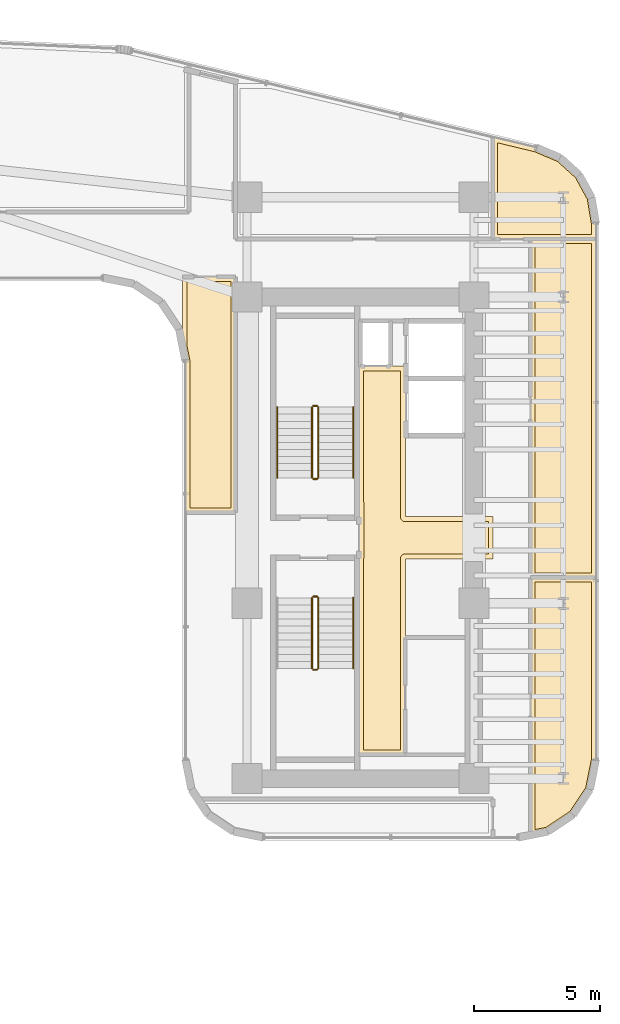
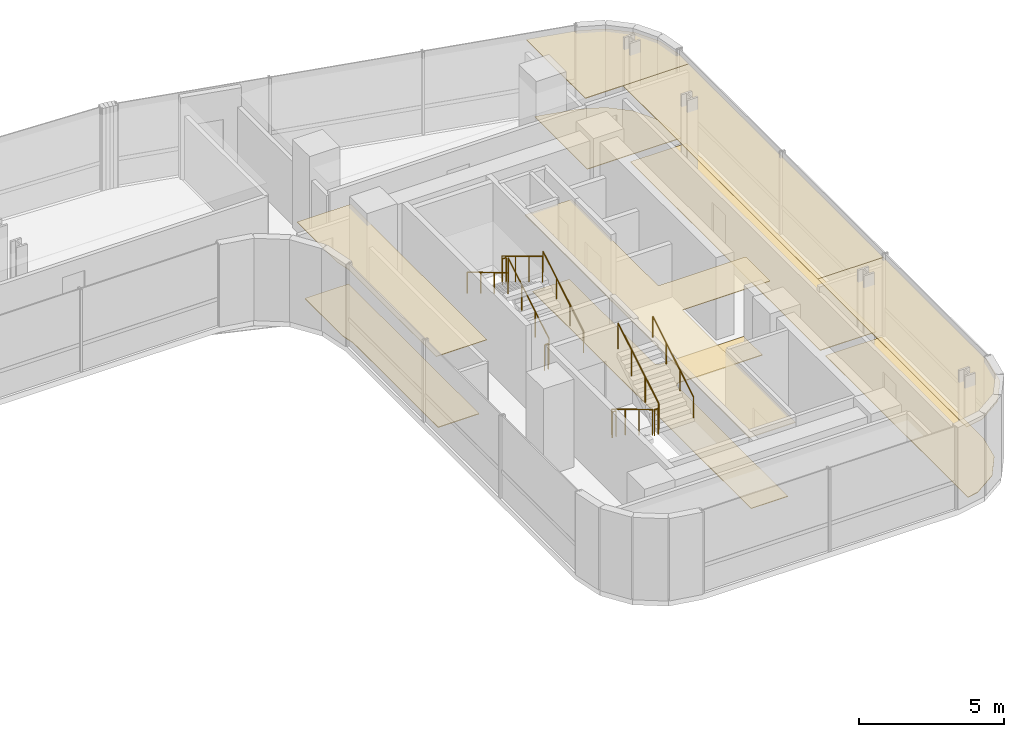
# One storey, part 33 of 34: 11 railings, 10 coverings.
"""IFC4 building model written with IfcOpenShell, lengths in metres."""

from ifc_helpers import new_model, si_unit, direction, frame, origin, origin_2d, place, context, subcontext, project, spatial, polyline, circle, outline, extrude, material, layer, layer_set, type_object, element, save


model = new_model("IFC4")

# Units and contexts
model_context = context("Model", 3, precision=1e-05, world=origin(), true_north=direction((0.0, 1.0)))
body_context = subcontext(model_context, "Body", "Model", "MODEL_VIEW")
ifc_project = project(units=[si_unit("LENGTHUNIT", "METRE"), si_unit("AREAUNIT", "SQUARE_METRE"), si_unit("VOLUMEUNIT", "CUBIC_METRE"), si_unit("PLANEANGLEUNIT", "RADIAN"), si_unit("MASSUNIT", "GRAM", prefix="KILO")], contexts=[model_context])

# Site, building, storey
site_placement = place(None, origin())
site = spatial("IfcSite", under=ifc_project, at=site_placement, CompositionType="ELEMENT")
building_placement = place(site_placement, origin())
building = spatial("IfcBuilding", under=site, at=building_placement, Name="Valdorenza Pilgrim Sanctuary Tower", CompositionType="ELEMENT")
storey_placement = place(building_placement, frame((0.0, 0.0, 142.699951171875)))
storey = spatial("IfcBuildingStorey", under=building, at=storey_placement, Name="L36", CompositionType="ELEMENT", Elevation=142.699951171875)

# Coverings
ifc_material_1 = material(Name="Micro-perforated acoustic mineral ceiling tile", Category="gypsum")
ifc_layer_1 = layer(ifc_material_1, 0.02490234375, Name="Micro-perforated acoustic mineral ceiling tile")
ifc_layer_set_1 = layer_set([ifc_layer_1], Name="Micro-perforated acoustic mineral ceiling tile")
covering_type_1 = type_object("IfcCoveringType", Name="COV-CLG-ACU", PredefinedType="CEILING", material=ifc_layer_set_1)
covering_1_placement = place(storey_placement, frame((0.0, 0.0, 3.16015625)))
element("IfcCovering", 1, at=covering_1_placement, inside=storey, type_object=covering_type_1, Name="L36 Core B Passenger Lift Lobby Acoustic Ceiling", PredefinedType="CEILING", context=body_context, shape_type="SweptSolid", body=[
    extrude(outline(polyline([(20.287109375, -0.814697265625), (20.287109375, 0.814697265625), (20.28662109375, 0.815185546875), (20.2861328125, 0.81640625), (20.28564453125, 0.81787109375), (20.285400390625, 0.819091796875), (20.28515625, 0.820556640625), (20.284912109375, 0.822021484375), (20.284912109375, 6.800048828125), (20.28515625, 6.801513671875), (20.285400390625, 6.802978515625), (20.28564453125, 6.804443359375), (20.2861328125, 6.8056640625), (20.286865234375, 6.80712890625), (20.28759765625, 6.808349609375), (20.288330078125, 6.8095703125), (20.289306640625, 6.810546875), (20.29052734375, 6.8115234375), (20.291748046875, 6.8125), (20.29296875, 6.813232421875), (20.294189453125, 6.81396484375), (20.295654296875, 6.814453125), (20.297119140625, 6.814697265625), (20.298583984375, 6.81494140625), (20.300048828125, 6.81494140625), (20.347900390625, 6.81494140625), (20.349365234375, 6.81494140625), (20.350830078125, 6.814697265625), (20.352294921875, 6.814453125), (20.353515625, 6.81396484375), (20.35498046875, 6.813232421875), (20.35546875, 6.81298828125), (21.544677734375, 6.81298828125), (21.545166015625, 6.813232421875), (21.54638671875, 6.81396484375), (21.5478515625, 6.814453125), (21.54931640625, 6.814697265625), (21.550537109375, 6.81494140625), (21.552001953125, 6.81494140625), (22.1201171875, 6.81494140625), (22.12158203125, 6.81494140625), (22.122802734375, 6.814697265625), (22.12451171875, 6.814453125), (22.125732421875, 6.81396484375), (22.127197265625, 6.813232421875), (22.12841796875, 6.8125), (22.12939453125, 6.8115234375), (22.130615234375, 6.810546875), (22.131591796875, 6.8095703125), (22.132568359375, 6.808349609375), (22.13330078125, 6.80712890625), (22.1337890625, 6.8056640625), (22.134521484375, 6.804443359375), (22.134765625, 6.802978515625), (22.135009765625, 6.801513671875), (22.135009765625, 6.800048828125), (22.135009765625, 0.8349609375), (25.60009765625, 0.8349609375), (25.6015625, 0.8349609375), (25.602783203125, 0.834716796875), (25.6044921875, 0.83447265625), (25.605712890625, 0.833984375), (25.607177734375, 0.833251953125), (25.6083984375, 0.83251953125), (25.609619140625, 0.83154296875), (25.610595703125, 0.83056640625), (25.611572265625, 0.82958984375), (25.612548828125, 0.828369140625), (25.61328125, 0.8271484375), (25.614013671875, 0.82568359375), (25.614501953125, 0.824462890625), (25.61474609375, 0.822998046875), (25.614990234375, 0.821533203125), (25.614990234375, 0.820068359375), (25.614990234375, -0.820068359375), (25.614990234375, -0.821533203125), (25.61474609375, -0.822998046875), (25.614501953125, -0.824462890625), (25.614013671875, -0.82568359375), (25.61328125, -0.8271484375), (25.612548828125, -0.828369140625), (25.611572265625, -0.82958984375), (25.610595703125, -0.83056640625), (25.609619140625, -0.83154296875), (25.6083984375, -0.83251953125), (25.607177734375, -0.833251953125), (25.605712890625, -0.833984375), (25.6044921875, -0.83447265625), (25.602783203125, -0.834716796875), (25.6015625, -0.8349609375), (25.60009765625, -0.8349609375), (22.135009765625, -0.8349609375), (22.135009765625, -8.60009765625), (22.135009765625, -8.6015625), (22.134765625, -8.602783203125), (22.134521484375, -8.6044921875), (22.1337890625, -8.605712890625), (22.13330078125, -8.607177734375), (22.132568359375, -8.6083984375), (22.131591796875, -8.609619140625), (22.130615234375, -8.610595703125), (22.12939453125, -8.611572265625), (22.12841796875, -8.612548828125), (22.127197265625, -8.61328125), (22.125732421875, -8.614013671875), (22.12451171875, -8.614501953125), (22.122802734375, -8.61474609375), (22.12158203125, -8.614990234375), (22.1201171875, -8.614990234375), (20.300048828125, -8.614990234375), (20.298583984375, -8.614990234375), (20.297119140625, -8.61474609375), (20.295654296875, -8.614501953125), (20.294189453125, -8.614013671875), (20.29296875, -8.61328125), (20.291748046875, -8.612548828125), (20.29052734375, -8.611572265625), (20.289306640625, -8.610595703125), (20.288330078125, -8.609619140625), (20.28759765625, -8.6083984375), (20.286865234375, -8.607177734375), (20.2861328125, -8.605712890625), (20.28564453125, -8.6044921875), (20.285400390625, -8.602783203125), (20.28515625, -8.6015625), (20.284912109375, -8.60009765625), (20.284912109375, -0.822021484375), (20.28515625, -0.820556640625), (20.285400390625, -0.819091796875), (20.28564453125, -0.81787109375), (20.2861328125, -0.81640625), (20.28662109375, -0.815185546875), (20.287109375, -0.814697265625)])), origin(), (0.0, 0.0, 1.0), 0.02490234375),
])
covering_2_placement = place(storey_placement, frame((0.0, 0.0, 3.16015625)))
element("IfcCovering", 2, at=covering_2_placement, inside=storey, type_object=covering_type_1, Name="L36 East Wing Reference Library L36-BNE Acoustic Ceiling", PredefinedType="CEILING", context=body_context, shape_type="SweptSolid", body=[
    extrude(outline(polyline([(27.313720703125, 15.49755859375), (27.31494140625, 15.4970703125), (27.316162109375, 15.49658203125), (28.269775390625, 15.09130859375), (28.271240234375, 15.090576171875), (28.272705078125, 15.089599609375), (28.27392578125, 15.088623046875), (29.034912109375, 14.3994140625), (29.035888671875, 14.398193359375), (29.037109375, 14.39697265625), (29.037841796875, 14.3955078125), (29.531005859375, 13.4951171875), (29.53173828125, 13.49365234375), (29.5322265625, 13.4921875), (29.53271484375, 13.490478515625), (29.704833984375, 12.468994140625), (29.704833984375, 12.467529296875), (29.705078125, 12.46630859375), (29.705078125, 11.85009765625), (29.704833984375, 11.848388671875), (29.70458984375, 11.84716796875), (29.704345703125, 11.845703125), (29.703857421875, 11.84423828125), (29.703125, 11.843017578125), (29.702392578125, 11.841796875), (29.70166015625, 11.840576171875), (29.70068359375, 11.83935546875), (29.699462890625, 11.83837890625), (29.6982421875, 11.83740234375), (29.697021484375, 11.8369140625), (29.69580078125, 11.836181640625), (29.6943359375, 11.835693359375), (29.69287109375, 11.835205078125), (29.69140625, 11.835205078125), (29.68994140625, 11.8349609375), (25.60205078125, 11.8349609375), (25.6005859375, 11.835205078125), (25.59912109375, 11.835205078125), (25.59765625, 11.835693359375), (25.59619140625, 11.836181640625), (25.594970703125, 11.8369140625), (25.59375, 11.83740234375), (25.592529296875, 11.83837890625), (25.59130859375, 11.83935546875), (25.59033203125, 11.840576171875), (25.589599609375, 11.841796875), (25.5888671875, 11.843017578125), (25.588134765625, 11.84423828125), (25.587646484375, 11.845703125), (25.58740234375, 11.84716796875), (25.587158203125, 11.848388671875), (25.5869140625, 11.85009765625), (25.5869140625, 15.891845703125), (25.587158203125, 15.893310546875), (25.58740234375, 15.894775390625), (25.587646484375, 15.896240234375), (25.588134765625, 15.897705078125), (25.5888671875, 15.89892578125), (25.589599609375, 15.900390625), (25.590576171875, 15.901611328125), (25.591552734375, 15.902587890625), (25.5927734375, 15.903564453125), (25.593994140625, 15.904296875), (25.59521484375, 15.9052734375), (25.5966796875, 15.90576171875), (25.597900390625, 15.90625), (25.599609375, 15.906494140625), (25.60107421875, 15.90673828125), (25.6025390625, 15.90673828125), (25.60400390625, 15.906494140625), (25.60546875, 15.906494140625), (27.313720703125, 15.49755859375)])), origin(), (0.0, 0.0, 1.0), 0.02490234375),
])
covering_3_placement = place(storey_placement, frame((0.0, 0.0, 3.16015625)))
element("IfcCovering", 3, at=covering_3_placement, inside=storey, type_object=covering_type_1, Name="L36 Private Banquet Dining Room L36-EB1 Acoustic Ceiling", PredefinedType="CEILING", context=body_context, shape_type="SweptSolid", body=[
    extrude(outline(polyline([(29.68994140625, -1.56005859375), (29.69140625, -1.56005859375), (29.69287109375, -1.560302734375), (29.6943359375, -1.560546875), (29.69580078125, -1.56103515625), (29.697021484375, -1.561767578125), (29.6982421875, -1.5625), (29.699462890625, -1.5634765625), (29.70068359375, -1.564453125), (29.70166015625, -1.5654296875), (29.702392578125, -1.566650390625), (29.703125, -1.56787109375), (29.703857421875, -1.5693359375), (29.704345703125, -1.570556640625), (29.70458984375, -1.572021484375), (29.704833984375, -1.573486328125), (29.705078125, -1.574951171875), (29.705078125, -8.789306640625), (29.704833984375, -8.79052734375), (29.70458984375, -8.7919921875), (29.467529296875, -9.984619140625), (29.467041015625, -9.986083984375), (29.466552734375, -9.9873046875), (29.466064453125, -9.98876953125), (29.46533203125, -9.989990234375), (28.7958984375, -10.99169921875), (28.794921875, -10.992919921875), (28.7939453125, -10.993896484375), (28.79296875, -10.9951171875), (28.791748046875, -10.995849609375), (27.7900390625, -11.665283203125), (27.788818359375, -11.666015625), (27.787353515625, -11.66650390625), (27.785888671875, -11.6669921875), (27.78466796875, -11.66748046875), (27.102783203125, -11.802978515625), (27.1015625, -11.80322265625), (27.10009765625, -11.803466796875), (27.098388671875, -11.80322265625), (27.09716796875, -11.802978515625), (27.095703125, -11.802734375), (27.09423828125, -11.80224609375), (27.093017578125, -11.801513671875), (27.091796875, -11.80078125), (27.090576171875, -11.800048828125), (27.08935546875, -11.799072265625), (27.08837890625, -11.7978515625), (27.08740234375, -11.796630859375), (27.0869140625, -11.79541015625), (27.086181640625, -11.794189453125), (27.085693359375, -11.792724609375), (27.085205078125, -11.791259765625), (27.085205078125, -11.789794921875), (27.0849609375, -11.788330078125), (27.0849609375, -1.574951171875), (27.085205078125, -1.573486328125), (27.085205078125, -1.572021484375), (27.085693359375, -1.570556640625), (27.086181640625, -1.5693359375), (27.0869140625, -1.56787109375), (27.08740234375, -1.566650390625), (27.08837890625, -1.5654296875), (27.08935546875, -1.564453125), (27.090576171875, -1.5634765625), (27.091796875, -1.5625), (27.093017578125, -1.561767578125), (27.09423828125, -1.56103515625), (27.095703125, -1.560546875), (27.09716796875, -1.560302734375), (27.098388671875, -1.56005859375), (27.10009765625, -1.56005859375), (29.68994140625, -1.56005859375)])), origin(), (0.0, 0.0, 1.0), 0.02490234375),
])
covering_4_placement = place(storey_placement, frame((0.0, 0.0, 3.16015625)))
element("IfcCovering", 4, at=covering_4_placement, inside=storey, type_object=covering_type_1, Name="L36 Private Banquet Dining Room L36-EB2 Acoustic Ceiling", PredefinedType="CEILING", context=body_context, shape_type="SweptSolid", body=[
    extrude(outline(polyline([(27.0849609375, 11.847900390625), (27.085205078125, 11.849609375), (27.085205078125, 11.850830078125), (27.085693359375, 11.852294921875), (27.086181640625, 11.853759765625), (27.0869140625, 11.85498046875), (27.08740234375, 11.856201171875), (27.08837890625, 11.857421875), (27.08935546875, 11.858642578125), (27.090576171875, 11.859619140625), (27.091796875, 11.860595703125), (27.093017578125, 11.861083984375), (27.09423828125, 11.86181640625), (27.095703125, 11.8623046875), (27.09716796875, 11.86279296875), (27.098388671875, 11.86279296875), (27.10009765625, 11.863037109375), (29.68994140625, 11.863037109375), (29.69140625, 11.86279296875), (29.69287109375, 11.86279296875), (29.6943359375, 11.8623046875), (29.69580078125, 11.86181640625), (29.697021484375, 11.861083984375), (29.6982421875, 11.860595703125), (29.699462890625, 11.859619140625), (29.70068359375, 11.858642578125), (29.70166015625, 11.857421875), (29.702392578125, 11.856201171875), (29.703125, 11.85498046875), (29.703857421875, 11.853759765625), (29.704345703125, 11.852294921875), (29.70458984375, 11.850830078125), (29.704833984375, 11.849609375), (29.705078125, 11.847900390625), (29.705078125, -1.572998046875), (29.704833984375, -1.574462890625), (29.70458984375, -1.575927734375), (29.704345703125, -1.577392578125), (29.703857421875, -1.57861328125), (29.703125, -1.580078125), (29.702392578125, -1.581298828125), (29.70166015625, -1.58251953125), (29.70068359375, -1.58349609375), (29.699462890625, -1.584716796875), (29.6982421875, -1.58544921875), (29.697021484375, -1.586181640625), (29.69580078125, -1.5869140625), (29.6943359375, -1.58740234375), (29.69287109375, -1.587646484375), (29.69140625, -1.587890625), (29.68994140625, -1.587890625), (27.10009765625, -1.587890625), (27.098388671875, -1.587890625), (27.09716796875, -1.587646484375), (27.095703125, -1.58740234375), (27.09423828125, -1.5869140625), (27.093017578125, -1.586181640625), (27.091796875, -1.58544921875), (27.090576171875, -1.584716796875), (27.08935546875, -1.58349609375), (27.08837890625, -1.58251953125), (27.08740234375, -1.581298828125), (27.0869140625, -1.580078125), (27.086181640625, -1.57861328125), (27.085693359375, -1.577392578125), (27.085205078125, -1.575927734375), (27.085205078125, -1.574462890625), (27.0849609375, -1.572998046875), (27.0849609375, 11.847900390625)])), origin(), (0.0, 0.0, 1.0), 0.02490234375),
])
covering_5_placement = place(storey_placement, frame((0.0, 0.0, 3.16015625)))
element("IfcCovering", 5, at=covering_5_placement, inside=storey, type_object=covering_type_1, Name="L36 Courtyard Overlook Salon L36 Acoustic Ceiling", PredefinedType="CEILING", context=body_context, shape_type="SweptSolid", body=[
    extrude(outline(polyline([(15.39990234375, 10.364990234375), (15.401611328125, 10.364990234375), (15.40283203125, 10.36474609375), (15.404296875, 10.364501953125), (15.40576171875, 10.364013671875), (15.406982421875, 10.36328125), (15.408203125, 10.362548828125), (15.409423828125, 10.361572265625), (15.41064453125, 10.360595703125), (15.41162109375, 10.359619140625), (15.41259765625, 10.3583984375), (15.4130859375, 10.357177734375), (15.413818359375, 10.355712890625), (15.414306640625, 10.3544921875), (15.414794921875, 10.352783203125), (15.414794921875, 10.3515625), (15.4150390625, 10.35009765625), (15.4150390625, 1.0), (15.414794921875, 0.99853515625), (15.414794921875, 0.9970703125), (15.414306640625, 0.99560546875), (15.413818359375, 0.994384765625), (15.4130859375, 0.992919921875), (15.41259765625, 0.99169921875), (15.41162109375, 0.990478515625), (15.41064453125, 0.989501953125), (15.409423828125, 0.98828125), (15.408203125, 0.987548828125), (15.406982421875, 0.98681640625), (15.40576171875, 0.986083984375), (15.404296875, 0.985595703125), (15.40283203125, 0.9853515625), (15.401611328125, 0.985107421875), (15.39990234375, 0.985107421875), (13.409912109375, 0.985107421875), (13.408447265625, 0.985107421875), (13.406982421875, 0.9853515625), (13.405517578125, 0.985595703125), (13.404296875, 0.986083984375), (13.40283203125, 0.98681640625), (13.401611328125, 0.987548828125), (13.400390625, 0.98828125), (13.3994140625, 0.989501953125), (13.3984375, 0.990478515625), (13.3974609375, 0.99169921875), (13.396728515625, 0.992919921875), (13.39599609375, 0.994384765625), (13.3955078125, 0.99560546875), (13.395263671875, 0.9970703125), (13.39501953125, 0.99853515625), (13.39501953125, 1.0), (13.39501953125, 6.99951171875), (13.39453125, 7.00927734375), (13.39306640625, 7.018798828125), (13.285400390625, 7.560791015625), (13.28515625, 7.562255859375), (13.284912109375, 7.563720703125), (13.284912109375, 10.35009765625), (13.28515625, 10.3515625), (13.285400390625, 10.352783203125), (13.28564453125, 10.3544921875), (13.2861328125, 10.355712890625), (13.286865234375, 10.357177734375), (13.28759765625, 10.3583984375), (13.288330078125, 10.359619140625), (13.289306640625, 10.360595703125), (13.29052734375, 10.361572265625), (13.291748046875, 10.362548828125), (13.29296875, 10.36328125), (13.294189453125, 10.364013671875), (13.295654296875, 10.364501953125), (13.297119140625, 10.36474609375), (13.298583984375, 10.364990234375), (13.300048828125, 10.364990234375), (15.39990234375, 10.364990234375)])), origin(), (0.0, 0.0, 1.0), 0.02490234375),
])
ifc_material_2 = material(Name="Engineered European oak timber flooring", Category="wood")
ifc_layer_2 = layer(ifc_material_2, 0.02197265625, Name="Engineered European oak timber flooring")
ifc_layer_set_2 = layer_set([ifc_layer_2], Name="Engineered European oak timber flooring")
covering_type_2 = type_object("IfcCoveringType", Name="COV-FLR-OAK", PredefinedType="FLOORING", material=ifc_layer_set_2)
covering_6_placement = place(storey_placement, origin())
element("IfcCovering", 6, at=covering_6_placement, inside=storey, type_object=covering_type_2, Name="L36 Private Banquet Dining Room L36-EB1 Flooring", PredefinedType="FLOORING", context=body_context, shape_type="SweptSolid", body=[
    extrude(outline(polyline([(29.510009765625, -1.7548828125), (29.510009765625, -8.771484375), (29.283203125, -9.911376953125), (28.653564453125, -10.853515625), (27.71142578125, -11.483154296875), (27.280029296875, -11.569091796875), (27.280029296875, -1.7548828125), (29.510009765625, -1.7548828125)])), origin(), (0.0, 0.0, 1.0), 0.025146484375),
])
covering_7_placement = place(storey_placement, origin())
element("IfcCovering", 7, at=covering_7_placement, inside=storey, type_object=covering_type_2, Name="L36 Private Banquet Dining Room L36-EB2 Flooring", PredefinedType="FLOORING", context=body_context, shape_type="SweptSolid", body=[
    extrude(outline(polyline([(27.280029296875, 11.66796875), (29.510009765625, 11.66796875), (29.510009765625, -1.39306640625), (27.280029296875, -1.39306640625), (27.280029296875, 11.66796875)])), origin(), (0.0, 0.0, 1.0), 0.025146484375),
])
ifc_material_3 = material(Name="Honed travertine stone flooring", Category="masonry")
ifc_layer_3 = layer(ifc_material_3, 0.030029296875, Name="Honed travertine stone flooring")
ifc_layer_set_3 = layer_set([ifc_layer_3], Name="Honed travertine stone flooring")
covering_type_3 = type_object("IfcCoveringType", Name="COV-FLR-TRV", PredefinedType="FLOORING", material=ifc_layer_set_3)
covering_8_placement = place(storey_placement, origin())
element("IfcCovering", 8, at=covering_8_placement, inside=storey, type_object=covering_type_3, Name="L36 Core B Passenger Lift Lobby Flooring", PredefinedType="FLOORING", context=body_context, shape_type="SweptSolid", body=[
    extrude(outline(polyline([(20.47998046875, 6.617919921875), (21.550048828125, 6.617919921875), (21.550537109375, 6.617919921875), (21.93994140625, 6.619384765625), (21.93994140625, 0.820068359375), (21.94091796875, 0.802490234375), (21.943603515625, 0.784912109375), (21.94775390625, 0.767578125), (21.95361328125, 0.751220703125), (21.961181640625, 0.735107421875), (21.97021484375, 0.719970703125), (21.98095703125, 0.705810546875), (21.99267578125, 0.692626953125), (22.005859375, 0.680908203125), (22.02001953125, 0.67041015625), (22.03515625, 0.661376953125), (22.051025390625, 0.65380859375), (22.067626953125, 0.647705078125), (22.0849609375, 0.6435546875), (22.102294921875, 0.640869140625), (22.1201171875, 0.639892578125), (25.419921875, 0.639892578125), (25.419921875, -0.639892578125), (22.1201171875, -0.639892578125), (22.102294921875, -0.640869140625), (22.0849609375, -0.6435546875), (22.067626953125, -0.647705078125), (22.051025390625, -0.65380859375), (22.03515625, -0.661376953125), (22.02001953125, -0.67041015625), (22.005859375, -0.680908203125), (21.99267578125, -0.692626953125), (21.98095703125, -0.705810546875), (21.97021484375, -0.719970703125), (21.961181640625, -0.735107421875), (21.95361328125, -0.751220703125), (21.94775390625, -0.767578125), (21.943603515625, -0.784912109375), (21.94091796875, -0.802490234375), (21.93994140625, -0.820068359375), (21.93994140625, -8.419921875), (20.47998046875, -8.419921875), (20.47998046875, -0.846923828125), (20.47998046875, -0.8466796875), (20.47998046875, -0.8466796875), (20.481689453125, -0.8291015625), (20.481689453125, -0.828857421875), (20.48193359375, -0.820068359375), (20.48193359375, 0.820068359375), (20.47998046875, 6.617919921875)])), origin(), (0.0, 0.0, 1.0), 0.025146484375),
])
covering_9_placement = place(storey_placement, origin())
element("IfcCovering", 9, at=covering_9_placement, inside=storey, type_object=covering_type_3, Name="L36 East Wing Reference Library L36-BNE Flooring", PredefinedType="FLOORING", context=body_context, shape_type="SweptSolid", body=[
    extrude(outline(polyline([(27.25390625, 15.311279296875), (28.16552734375, 14.923583984375), (28.88134765625, 14.275390625), (29.345458984375, 13.427978515625), (29.510009765625, 12.451416015625), (29.510009765625, 12.030029296875), (25.781982421875, 12.030029296875), (25.781982421875, 15.66357421875), (27.25390625, 15.311279296875)])), origin(), (0.0, 0.0, 1.0), 0.025146484375),
])
covering_10_placement = place(storey_placement, origin())
element("IfcCovering", 10, at=covering_10_placement, inside=storey, type_object=covering_type_3, Name="L36 Courtyard Overlook Salon L36 Flooring", PredefinedType="FLOORING", context=body_context, shape_type="SweptSolid", body=[
    extrude(outline(polyline([(15.219970703125, 10.169921875), (15.219970703125, 1.179931640625), (13.590087890625, 1.179931640625), (13.590087890625, 7.0), (13.58984375, 7.0087890625), (13.58935546875, 7.01953125), (13.58740234375, 7.037109375), (13.5859375, 7.0478515625), (13.58447265625, 7.056640625), (13.47998046875, 7.58154296875), (13.47998046875, 10.169921875), (15.219970703125, 10.169921875)])), origin(), (0.0, 0.0, 1.0), 0.025146484375),
])

# Railings
ifc_material_4 = material(Name="Stainless steel Grade 316", Category="steel")
railing_type_1 = type_object("IfcRailingType", Name="RLG-GRD-1120", PredefinedType="GUARDRAIL", material=ifc_material_4)
railing_1_placement = place(storey_placement, frame((18.679931640625, 2.3798828125, 0.168212890625)))
element("IfcRailing", 11, at=railing_1_placement, inside=storey, type_object=railing_type_1, Name="L36 ST-B1 stair guard 1", PredefinedType="GUARDRAIL", context=body_context, shape_type="SweptSolid", body=[
    extrude(circle(Radius=0.02392578125, at=origin_2d()), frame((0.0, 0.0, 1.076171875), z_axis=(0.0, 0.857242210791, 0.514913383045), x_axis=(-1.0, 0.0, 0.0)), (0.0, 0.0, 1.0), 3.266357421875),
    extrude(circle(Radius=0.02099609375, at=origin_2d()), origin(), (0.0, 0.0, 1.0), 1.052001953125),
    extrude(circle(Radius=0.02099609375, at=origin_2d()), frame((0.0, 0.933349609375, 0.560546875)), (0.0, 0.0, 1.0), 1.052001953125),
    extrude(circle(Radius=0.02099609375, at=origin_2d()), frame((0.0, 1.86669921875, 1.121337890625)), (0.0, 0.0, 1.0), 1.052001953125),
    extrude(circle(Radius=0.02099609375, at=origin_2d()), frame((0.0, 2.800048828125, 1.681884765625)), (0.0, 0.0, 1.0), 1.052001953125),
])
railing_2_placement = place(storey_placement, frame((18.6298828125, 5.22998046875, 1.85009765625)))
element("IfcRailing", 12, at=railing_2_placement, inside=storey, type_object=railing_type_1, Name="L36 ST-B1 stair guard 2", PredefinedType="GUARDRAIL", context=body_context, shape_type="SweptSolid", body=[
    extrude(circle(Radius=0.02392578125, at=origin_2d()), frame((0.0, 0.0, 1.076171875), z_axis=(-1.0, 0.0, 0.0), x_axis=(0.0, -1.0, 0.0)), (0.0, 0.0, 1.0), 0.14990234375),
    extrude(circle(Radius=0.02099609375, at=origin_2d()), origin(), (0.0, 0.0, 1.0), 1.052001953125),
    extrude(circle(Radius=0.02099609375, at=origin_2d()), frame((-0.14990234375, 0.0, 0.0)), (0.0, 0.0, 1.0), 1.052001953125),
])
railing_3_placement = place(storey_placement, frame((18.429931640625, 5.179931640625, 2.018310546875)))
element("IfcRailing", 13, at=railing_3_placement, inside=storey, type_object=railing_type_1, Name="L36 ST-B1 stair guard 3", PredefinedType="GUARDRAIL", context=body_context, shape_type="SweptSolid", body=[
    extrude(circle(Radius=0.02392578125, at=origin_2d()), frame((0.0, 0.0, 1.076171875), z_axis=(0.0, -0.857275202839, 0.514858452973), x_axis=(1.0, 0.0, 0.0)), (0.0, 0.0, 1.0), 3.26611328125),
    extrude(circle(Radius=0.02099609375, at=origin_2d()), origin(), (0.0, 0.0, 1.0), 1.052001953125),
    extrude(circle(Radius=0.02099609375, at=origin_2d()), frame((0.0, -0.933349609375, 0.560546875)), (0.0, 0.0, 1.0), 1.052001953125),
    extrude(circle(Radius=0.02099609375, at=origin_2d()), frame((0.0, -1.86669921875, 1.12109375)), (0.0, 0.0, 1.0), 1.052001953125),
    extrude(circle(Radius=0.02099609375, at=origin_2d()), frame((0.0, -2.800048828125, 1.681640625)), (0.0, 0.0, 1.0), 1.052001953125),
])
railing_4_placement = place(storey_placement, frame((18.6298828125, 2.330078125, 0.0)))
element("IfcRailing", 14, at=railing_4_placement, inside=storey, type_object=railing_type_1, Name="L36 ST-B1 stair guard 4", PredefinedType="GUARDRAIL", context=body_context, shape_type="SweptSolid", body=[
    extrude(circle(Radius=0.02392578125, at=origin_2d()), frame((0.0, 0.0, 1.076171875), z_axis=(-1.0, 0.0, 0.0), x_axis=(0.0, -1.0, 0.0)), (0.0, 0.0, 1.0), 0.14990234375),
    extrude(circle(Radius=0.02099609375, at=origin_2d()), origin(), (0.0, 0.0, 1.0), 1.052001953125),
    extrude(circle(Radius=0.02099609375, at=origin_2d()), frame((-0.14990234375, 0.0, 0.0)), (0.0, 0.0, 1.0), 1.052001953125),
])
railing_5_placement = place(storey_placement, frame((18.429931640625, -2.3798828125, 0.168212890625)))
element("IfcRailing", 15, at=railing_5_placement, inside=storey, type_object=railing_type_1, Name="L36 ST-B2 stair guard 1", PredefinedType="GUARDRAIL", context=body_context, shape_type="SweptSolid", body=[
    extrude(circle(Radius=0.02392578125, at=origin_2d()), frame((0.0, 0.0, 1.076171875), z_axis=(0.0, -0.857242210791, 0.514913383045), x_axis=(1.0, 0.0, 0.0)), (0.0, 0.0, 1.0), 3.266357421875),
    extrude(circle(Radius=0.02099609375, at=origin_2d()), origin(), (0.0, 0.0, 1.0), 1.052001953125),
    extrude(circle(Radius=0.02099609375, at=origin_2d()), frame((0.0, -0.933349609375, 0.560546875)), (0.0, 0.0, 1.0), 1.052001953125),
    extrude(circle(Radius=0.02099609375, at=origin_2d()), frame((0.0, -1.86669921875, 1.121337890625)), (0.0, 0.0, 1.0), 1.052001953125),
    extrude(circle(Radius=0.02099609375, at=origin_2d()), frame((0.0, -2.800048828125, 1.681884765625)), (0.0, 0.0, 1.0), 1.052001953125),
])
railing_6_placement = place(storey_placement, frame((18.47998046875, -5.22998046875, 1.85009765625)))
element("IfcRailing", 16, at=railing_6_placement, inside=storey, type_object=railing_type_1, Name="L36 ST-B2 stair guard 2", PredefinedType="GUARDRAIL", context=body_context, shape_type="SweptSolid", body=[
    extrude(circle(Radius=0.02392578125, at=origin_2d()), frame((0.0, 0.0, 1.076171875), z_axis=(1.0, 0.0, 0.0), x_axis=(0.0, 1.0, 0.0)), (0.0, 0.0, 1.0), 0.14990234375),
    extrude(circle(Radius=0.02099609375, at=origin_2d()), origin(), (0.0, 0.0, 1.0), 1.052001953125),
    extrude(circle(Radius=0.02099609375, at=origin_2d()), frame((0.14990234375, 0.0, 0.0)), (0.0, 0.0, 1.0), 1.052001953125),
])
railing_7_placement = place(storey_placement, frame((18.679931640625, -5.179931640625, 2.018310546875)))
element("IfcRailing", 17, at=railing_7_placement, inside=storey, type_object=railing_type_1, Name="L36 ST-B2 stair guard 3", PredefinedType="GUARDRAIL", context=body_context, shape_type="SweptSolid", body=[
    extrude(circle(Radius=0.02392578125, at=origin_2d()), frame((0.0, 0.0, 1.076171875), z_axis=(0.0, 0.857275202839, 0.514858452973), x_axis=(-1.0, 0.0, 0.0)), (0.0, 0.0, 1.0), 3.26611328125),
    extrude(circle(Radius=0.02099609375, at=origin_2d()), origin(), (0.0, 0.0, 1.0), 1.052001953125),
    extrude(circle(Radius=0.02099609375, at=origin_2d()), frame((0.0, 0.933349609375, 0.560546875)), (0.0, 0.0, 1.0), 1.052001953125),
    extrude(circle(Radius=0.02099609375, at=origin_2d()), frame((0.0, 1.86669921875, 1.12109375)), (0.0, 0.0, 1.0), 1.052001953125),
    extrude(circle(Radius=0.02099609375, at=origin_2d()), frame((0.0, 2.800048828125, 1.681640625)), (0.0, 0.0, 1.0), 1.052001953125),
])
railing_8_placement = place(storey_placement, frame((18.47998046875, -2.330078125, 0.0)))
element("IfcRailing", 18, at=railing_8_placement, inside=storey, type_object=railing_type_1, Name="L36 ST-B2 stair guard 4", PredefinedType="GUARDRAIL", context=body_context, shape_type="SweptSolid", body=[
    extrude(circle(Radius=0.02392578125, at=origin_2d()), frame((0.0, 0.0, 1.076171875), z_axis=(1.0, 0.0, 0.0), x_axis=(0.0, 1.0, 0.0)), (0.0, 0.0, 1.0), 0.14990234375),
    extrude(circle(Radius=0.02099609375, at=origin_2d()), origin(), (0.0, 0.0, 1.0), 1.052001953125),
    extrude(circle(Radius=0.02099609375, at=origin_2d()), frame((0.14990234375, 0.0, 0.0)), (0.0, 0.0, 1.0), 1.052001953125),
])
ifc_material_5 = material(Name="Brushed stainless steel Grade 316", Category="steel")
railing_type_2 = type_object("IfcRailingType", Name="RLG-HND-920", PredefinedType="HANDRAIL", material=ifc_material_5)
railing_9_placement = place(storey_placement, frame((20.06005859375, 2.3798828125, 0.168212890625)))
element("IfcRailing", 19, at=railing_9_placement, inside=storey, type_object=railing_type_2, Name="L36 ST-B1 stair handrail 1", PredefinedType="HANDRAIL", context=body_context, shape_type="SweptSolid", body=[
    extrude(circle(Radius=0.02392578125, at=origin_2d()), frame((0.0, 0.0, 0.8759765625), z_axis=(0.0, 0.857242210791, 0.514913383045), x_axis=(-1.0, 0.0, 0.0)), (0.0, 0.0, 1.0), 3.266357421875),
    extrude(circle(Radius=0.02099609375, at=origin_2d()), origin(), (0.0, 0.0, 1.0), 0.851806640625),
    extrude(circle(Radius=0.02099609375, at=origin_2d()), frame((0.0, 0.933349609375, 0.560546875)), (0.0, 0.0, 1.0), 0.851806640625),
    extrude(circle(Radius=0.02099609375, at=origin_2d()), frame((0.0, 1.86669921875, 1.121337890625)), (0.0, 0.0, 1.0), 0.851806640625),
    extrude(circle(Radius=0.02099609375, at=origin_2d()), frame((0.0, 2.800048828125, 1.681884765625)), (0.0, 0.0, 1.0), 0.851806640625),
])
railing_10_placement = place(storey_placement, frame((17.050048828125, 5.179931640625, 2.018310546875)))
element("IfcRailing", 20, at=railing_10_placement, inside=storey, type_object=railing_type_2, Name="L36 ST-B1 stair handrail 2", PredefinedType="HANDRAIL", context=body_context, shape_type="SweptSolid", body=[
    extrude(circle(Radius=0.02392578125, at=origin_2d()), frame((0.0, 0.0, 0.8759765625), z_axis=(0.0, -0.857275202839, 0.514858452973), x_axis=(1.0, 0.0, 0.0)), (0.0, 0.0, 1.0), 3.26611328125),
    extrude(circle(Radius=0.02099609375, at=origin_2d()), origin(), (0.0, 0.0, 1.0), 0.851806640625),
    extrude(circle(Radius=0.02099609375, at=origin_2d()), frame((0.0, -0.933349609375, 0.560546875)), (0.0, 0.0, 1.0), 0.851806640625),
    extrude(circle(Radius=0.02099609375, at=origin_2d()), frame((0.0, -1.86669921875, 1.12109375)), (0.0, 0.0, 1.0), 0.851806640625),
    extrude(circle(Radius=0.02099609375, at=origin_2d()), frame((0.0, -2.800048828125, 1.681640625)), (0.0, 0.0, 1.0), 0.851806640625),
])
railing_11_placement = place(storey_placement, frame((20.06005859375, -5.179931640625, 2.018310546875)))
element("IfcRailing", 21, at=railing_11_placement, inside=storey, type_object=railing_type_2, Name="L36 ST-B2 stair handrail 2", PredefinedType="HANDRAIL", context=body_context, shape_type="SweptSolid", body=[
    extrude(circle(Radius=0.02392578125, at=origin_2d()), frame((0.0, 0.0, 0.8759765625), z_axis=(0.0, 0.857275202839, 0.514858452973), x_axis=(-1.0, 0.0, 0.0)), (0.0, 0.0, 1.0), 3.26611328125),
    extrude(circle(Radius=0.02099609375, at=origin_2d()), origin(), (0.0, 0.0, 1.0), 0.851806640625),
    extrude(circle(Radius=0.02099609375, at=origin_2d()), frame((0.0, 0.933349609375, 0.560546875)), (0.0, 0.0, 1.0), 0.851806640625),
    extrude(circle(Radius=0.02099609375, at=origin_2d()), frame((0.0, 1.86669921875, 1.12109375)), (0.0, 0.0, 1.0), 0.851806640625),
    extrude(circle(Radius=0.02099609375, at=origin_2d()), frame((0.0, 2.800048828125, 1.681640625)), (0.0, 0.0, 1.0), 0.851806640625),
])

save(model, "model.ifc")
